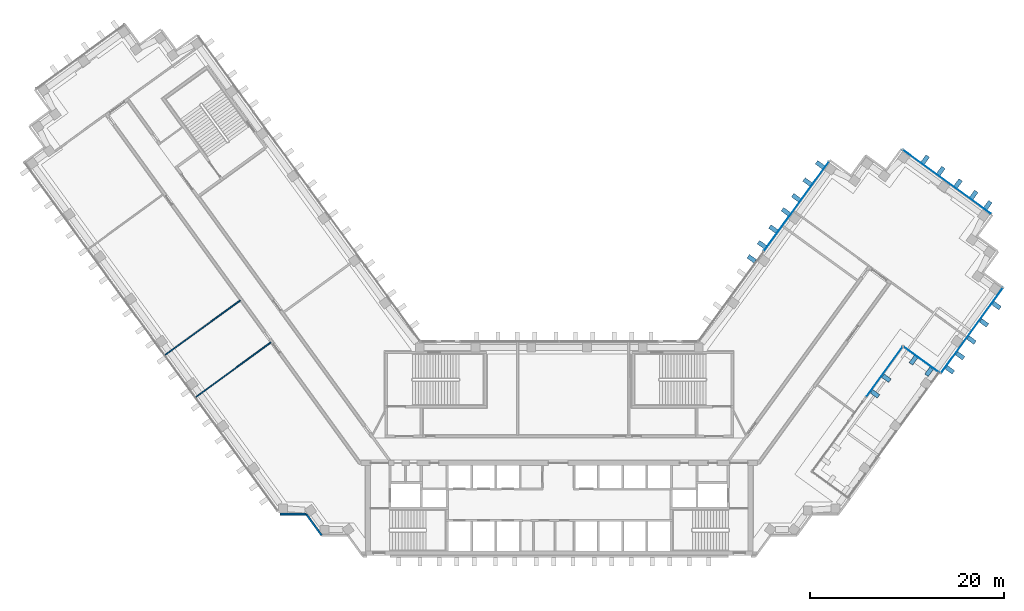
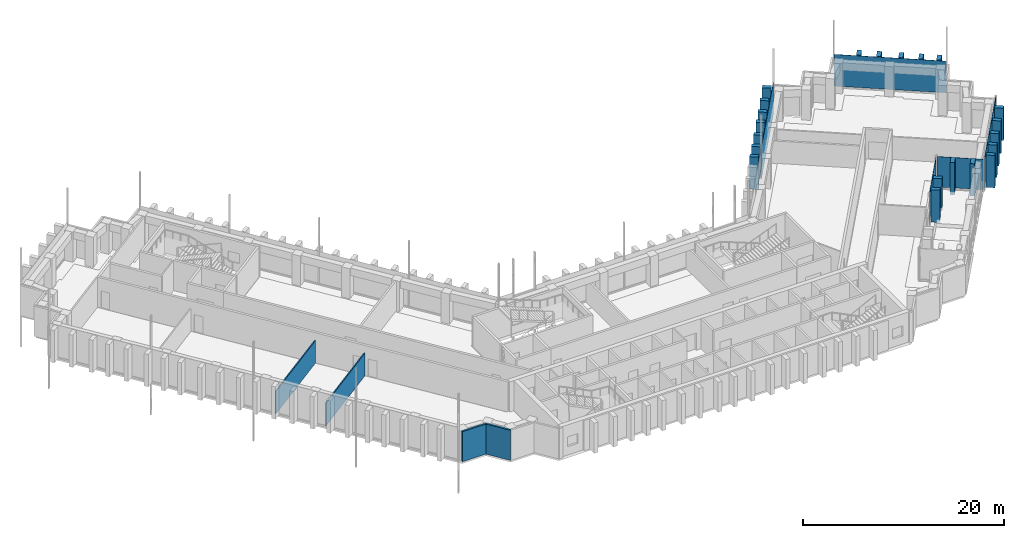
# One storey, part 8 of 17: 26 plates, 4 walls, 5 elements without a shape of their own.
"""IFC4 building model written with IfcOpenShell, lengths in metres."""

from ifc_helpers import new_model, si_unit, direction, frame, frame_2d, origin, origin_2d, place, context, subcontext, project, spatial, rectangle, extrude, material, layer, layer_set, type_object, element, aggregate, save


model = new_model("IFC4")

# Units and contexts
model_context = context("Model", 3, precision=1e-05, world=origin(), true_north=direction((0.0, 1.0)))
body_context = subcontext(model_context, "Body", "Model", "MODEL_VIEW")
ifc_project = project(units=[si_unit("LENGTHUNIT", "METRE"), si_unit("AREAUNIT", "SQUARE_METRE"), si_unit("VOLUMEUNIT", "CUBIC_METRE"), si_unit("PLANEANGLEUNIT", "RADIAN"), si_unit("MASSUNIT", "GRAM", prefix="KILO")], contexts=[model_context])

# Site, building, storey
site_placement = place(None, origin())
site = spatial("IfcSite", under=ifc_project, at=site_placement, CompositionType="ELEMENT")
building_placement = place(site_placement, origin())
building = spatial("IfcBuilding", under=site, at=building_placement, Name="Quipu Civic Tower", CompositionType="ELEMENT")
storey_placement = place(building_placement, frame((0.0, 0.0, 101.0)))
storey = spatial("IfcBuildingStorey", under=building, at=storey_placement, Name="L23", CompositionType="ELEMENT", Elevation=101.0)

# Curtain wall, plate
ifc_material_1 = material(Name="Insulated glass unit", Category="glass")
curtain_wall_type = type_object("IfcCurtainWallType", Name="Office curtain wall CW1", PredefinedType="NOTDEFINED", material=ifc_material_1)
curtain_wall_1_placement = place(storey_placement, origin())
curtain_wall_1 = element("IfcCurtainWall", 1, at=curtain_wall_1_placement, inside=storey, type_object=curtain_wall_type, Name="Office curtain wall CW1 L23 run 5", PredefinedType="NOTDEFINED")
ifc_material_2 = material(Name="Insulated glass unit", Category="glass")
ifc_layer_1 = layer(ifc_material_2, 0.028076171875)
ifc_layer_set_1 = layer_set([ifc_layer_1], Name="Insulated glass unit")
plate_type_1 = type_object("IfcPlateType", Name="Glass panel CW1", PredefinedType="CURTAIN_PANEL", material=ifc_layer_set_1)
plate_1_placement = place(storey_placement, frame((33.584716796875, 7.9794921875, 0.240234375), z_axis=(0.0, 0.0, 1.0), x_axis=(0.587783983369, 0.8090179163, 0.0)))
plate_1 = element("IfcPlate", 2, at=plate_1_placement, type_object=plate_type_1, Name="CW1 panel 1.1", PredefinedType="CURTAIN_PANEL", context=body_context, shape_type="SweptSolid", body=[
    extrude(rectangle(XDim=6.35888671875, YDim=0.028076171875, at=origin_2d()), origin(), (0.0, 0.0, 1.0), 3.679931640625),
])
aggregate(curtain_wall_1, [plate_1])

curtain_wall_2_placement = place(storey_placement, origin())
curtain_wall_2 = element("IfcCurtainWall", 3, at=curtain_wall_2_placement, inside=storey, type_object=curtain_wall_type, Name="Office curtain wall CW1 L23 run 6", PredefinedType="NOTDEFINED")
plate_2_placement = place(storey_placement, frame((37.442138671875, 9.205810546875, 0.240234375), z_axis=(0.0, 0.0, 1.0), x_axis=(0.809025177291, -0.58777398931, 0.0)))
plate_2 = element("IfcPlate", 4, at=plate_2_placement, type_object=plate_type_1, Name="CW1 panel 1.1", PredefinedType="CURTAIN_PANEL", context=body_context, shape_type="SweptSolid", body=[
    extrude(rectangle(XDim=4.639892578125, YDim=0.028076171875, at=origin_2d()), origin(), (0.0, 0.0, 1.0), 3.679931640625),
])
aggregate(curtain_wall_2, [plate_2])

curtain_wall_3_placement = place(storey_placement, origin())
curtain_wall_3 = element("IfcCurtainWall", 5, at=curtain_wall_3_placement, inside=storey, type_object=curtain_wall_type, Name="Office curtain wall CW1 L23 run 7", PredefinedType="NOTDEFINED")
plate_3_placement = place(storey_placement, frame((42.61669921875, 12.24462890625, 0.240234375), z_axis=(0.0, 0.0, 1.0), x_axis=(0.587786762977, 0.809015896796, 0.0)))
plate_3 = element("IfcPlate", 6, at=plate_3_placement, type_object=plate_type_1, Name="CW1 panel 1.1", PredefinedType="CURTAIN_PANEL", context=body_context, shape_type="SweptSolid", body=[
    extrude(rectangle(XDim=10.83984375, YDim=0.028076171875, at=origin_2d()), origin(), (0.0, 0.0, 1.0), 3.679931640625),
])
aggregate(curtain_wall_3, [plate_3])

curtain_wall_4_placement = place(storey_placement, origin())
curtain_wall_4 = element("IfcCurtainWall", 7, at=curtain_wall_4_placement, inside=storey, type_object=curtain_wall_type, Name="Office curtain wall CW1 L22 run 31", PredefinedType="NOTDEFINED")
plate_4_placement = place(storey_placement, frame((40.04345703125, 27.58740234375, 0.16015625), z_axis=(0.0, 0.0, 1.0), x_axis=(-0.809015176832, 0.587787753918, 0.0)))
plate_4 = element("IfcPlate", 8, at=plate_4_placement, type_object=plate_type_1, Name="CW1 panel 1.2", PredefinedType="CURTAIN_PANEL", context=body_context, shape_type="SweptSolid", body=[
    extrude(rectangle(XDim=11.239990234375, YDim=0.028076171875, at=origin_2d()), origin(), (0.0, 0.0, 1.0), 3.840087890625),
])
aggregate(curtain_wall_4, [plate_4])

curtain_wall_5_placement = place(storey_placement, origin())
curtain_wall_5 = element("IfcCurtainWall", 9, at=curtain_wall_5_placement, inside=storey, type_object=curtain_wall_type, Name="Office curtain wall CW1 L22 run 36", PredefinedType="NOTDEFINED")
plate_5_placement = place(storey_placement, frame((24.491455078125, 25.066162109375, 0.16015625), z_axis=(0.0, 0.0, 1.0), x_axis=(-0.587788727052, -0.809014469803, 0.0)))
plate_5 = element("IfcPlate", 10, at=plate_5_placement, type_object=plate_type_1, Name="CW1 panel 1.2", PredefinedType="CURTAIN_PANEL", context=body_context, shape_type="SweptSolid", body=[
    extrude(rectangle(XDim=11.402099609375, YDim=0.028076171875, at=origin_2d()), origin(), (0.0, 0.0, 1.0), 3.840087890625),
])
aggregate(curtain_wall_5, [plate_5])

# Plates
ifc_material_3 = material(Name="Precast concrete C40/50", Category="concrete")
plate_type_2 = type_object("IfcPlateType", Name="Precast fin F1", PredefinedType="SHEET", material=ifc_material_3)
for number, where, z_axis, x_axis, name in (
    (11, (32.609619140625, 5.70166015625, 0.080078125), (0.0, 0.0, 1.0), (0.587786610933, 0.809016007263, 0.0), "Precast fin F1 L23.5.1"),
    (12, (33.78515625, 7.31982421875, 0.080078125), (0.0, 0.0, 1.0), (0.587786610933, 0.809016007263, 0.0), "Precast fin F1 L23.5.2"),
    (13, (36.572998046875, 9.15771484375, 0.080078125), (0.0, 0.0, 1.0), (0.809025177291, -0.58777398931, 0.0), "Precast fin F1 L23.6.1"),
    (14, (38.19091796875, 7.982177734375, 0.080078125), (0.0, 0.0, 1.0), (0.809025177291, -0.58777398931, 0.0), "Precast fin F1 L23.6.2"),
    (15, (40.34326171875, 8.179931640625, 0.080078125), (0.0, 0.0, 1.0), (0.587784038409, 0.809017876312, 0.0), "Precast fin F1 L23.7.1"),
    (16, (41.401123046875, 9.635986328125, 0.080078125), (0.0, 0.0, 1.0), (0.587784038409, 0.809017876312, 0.0), "Precast fin F1 L23.7.2"),
    (17, (42.57666015625, 11.254150390625, 0.080078125), (0.0, 0.0, 1.0), (0.587784038409, 0.809017876312, 0.0), "Precast fin F1 L23.7.3"),
    (18, (43.869873046875, 13.033935546875, 0.080078125), (0.0, 0.0, 1.0), (0.587784038409, 0.809017876312, 0.0), "Precast fin F1 L23.7.4"),
    (19, (45.1630859375, 14.813720703125, 0.080078125), (0.0, 0.0, 1.0), (0.587784038409, 0.809017876312, 0.0), "Precast fin F1 L23.7.5"),
    (20, (44.270263671875, 25.1962890625, 0.080078125), (0.0, 0.0, 1.0), (-0.809017072762, 0.587785144401, 0.0), "Precast fin F1 L23.P28.1"),
    (21, (42.81396484375, 26.25439453125, 0.080078125), (0.0, 0.0, 1.0), (-0.809017072762, 0.587785144401, 0.0), "Precast fin F1 L23.P28.2"),
    (22, (41.196044921875, 27.429931640625, 0.080078125), (0.0, 0.0, 1.0), (-0.809017072762, 0.587785144401, 0.0), "Precast fin F1 L23.P28.3"),
    (23, (39.416259765625, 28.72314453125, 0.080078125), (0.0, 0.0, 1.0), (-0.809017072762, 0.587785144401, 0.0), "Precast fin F1 L23.P28.4"),
    (24, (37.798095703125, 29.898681640625, 0.080078125), (0.0, 0.0, 1.0), (-0.809017072762, 0.587785144401, 0.0), "Precast fin F1 L23.P28.5"),
    (25, (26.93017578125, 29.358642578125, 0.080078125), (0.0, 0.0, 1.0), (-0.587787133119, -0.809015627871, 0.0), "Precast fin F1 L23.P33.1"),
    (26, (25.636962890625, 27.578857421875, 0.080078125), (0.0, 0.0, 1.0), (-0.587787133119, -0.809015627871, 0.0), "Precast fin F1 L23.P33.2"),
    (27, (24.46142578125, 25.960693359375, 0.080078125), (0.0, 0.0, 1.0), (-0.587787133119, -0.809015627871, 0.0), "Precast fin F1 L23.P33.3"),
    (28, (23.4033203125, 24.50439453125, 0.080078125), (0.0, 0.0, 1.0), (-0.587787133119, -0.809015627871, 0.0), "Precast fin F1 L23.P33.4"),
    (29, (22.1103515625, 22.724609375, 0.080078125), (0.0, 0.0, 1.0), (-0.587787133119, -0.809015627871, 0.0), "Precast fin F1 L23.P33.5"),
    (30, (20.9345703125, 21.106689453125, 0.080078125), (0.0, 0.0, 1.0), (-0.587787133119, -0.809015627871, 0.0), "Precast fin F1 L23.P33.6"),
    (31, (19.876708984375, 19.650390625, 0.080078125), (0.0, 0.0, 1.0), (-0.587787133119, -0.809015627871, 0.0), "Precast fin F1 L23.P33.7"),
):
    element("IfcPlate", number, at=place(storey_placement, frame(where, z_axis=z_axis, x_axis=x_axis)), inside=storey, type_object=plate_type_2, Name=name, PredefinedType="SHEET", context=body_context, shape_type="SweptSolid", body=[
        extrude(rectangle(XDim=0.449951171875, YDim=0.89990234375, at=origin_2d()), origin(), (0.0, 0.0, 1.0), 3.919921875),
    ])

# Walls
ifc_material_4 = material(Name="Gypsum plasterboard on light gauge framing")
ifc_layer_2 = layer(ifc_material_4, 0.1201171875)
ifc_layer_set_2 = layer_set([ifc_layer_2], Name="Gypsum plasterboard on light gauge framing")
wall_type_1 = type_object("IfcWallType", Name="Partition 120 plasterboard", PredefinedType="PARTITIONING", material=ifc_layer_set_2)
wall_1_placement = place(storey_placement, frame((-32.943115234375, 15.348876953125, 0.0), z_axis=(0.0, 0.0, 1.0), x_axis=(-0.80903787798, -0.587756507402, 0.0)))
element("IfcWall", 32, at=wall_1_placement, inside=storey, type_object=wall_type_1, Name="Partition P10", PredefinedType="PARTITIONING", context=body_context, shape_type="SweptSolid", body=[
    extrude(rectangle(XDim=9.651611328125, YDim=0.1201171875, at=frame_2d((4.82568359375, 0.0))), origin(), (0.0, 0.0, 1.0), 2.75),
])
wall_2_placement = place(storey_placement, frame((-37.506103515625, 5.380615234375, 0.0), z_axis=(0.0, 0.0, 1.0), x_axis=(0.807645841498, 0.589667868135, 0.0)))
element("IfcWall", 33, at=wall_2_placement, inside=storey, type_object=wall_type_1, Name="Partition P11", PredefinedType="PARTITIONING", context=body_context, shape_type="SweptSolid", body=[
    extrude(rectangle(XDim=9.550537109375, YDim=0.1201171875, at=frame_2d((4.775390625, 0.0))), origin(), (0.0, 0.0, 1.0), 2.75),
])
ifc_material_5 = material(Name="Precast concrete C40/50", Category="concrete")
wall_type_2 = type_object("IfcWallType", Name="Precast cladding wall", PredefinedType="SOLIDWALL", material=ifc_material_5)
wall_3_placement = place(storey_placement, frame((-28.829833984375, -6.71923828125, 0.0), z_axis=(0.0, 0.0, 1.0), x_axis=(1.0, 0.0, 0.0)))
element("IfcWall", 34, at=wall_3_placement, inside=storey, type_object=wall_type_2, Name="Precast cladding wall L23 P17", PredefinedType="SOLIDWALL", context=body_context, shape_type="SweptSolid", body=[
    extrude(rectangle(XDim=2.699951171875, YDim=0.199951171875, at=frame_2d((1.35009765625, 0.0))), origin(), (0.0, 0.0, 1.0), 3.64990234375),
])
wall_4_placement = place(storey_placement, frame((-26.1201171875, -6.72412109375, 0.0), z_axis=(0.0, 0.0, 1.0), x_axis=(0.587720002413, -0.809064397168, 0.0)))
element("IfcWall", 35, at=wall_4_placement, inside=storey, type_object=wall_type_2, Name="Precast cladding wall L23 P18", PredefinedType="SOLIDWALL", context=body_context, shape_type="SweptSolid", body=[
    extrude(rectangle(XDim=2.7001953125, YDim=0.199951171875, at=frame_2d((1.35009765625, 0.0))), origin(), (0.0, 0.0, 1.0), 3.64990234375),
])

save(model, "model.ifc")
